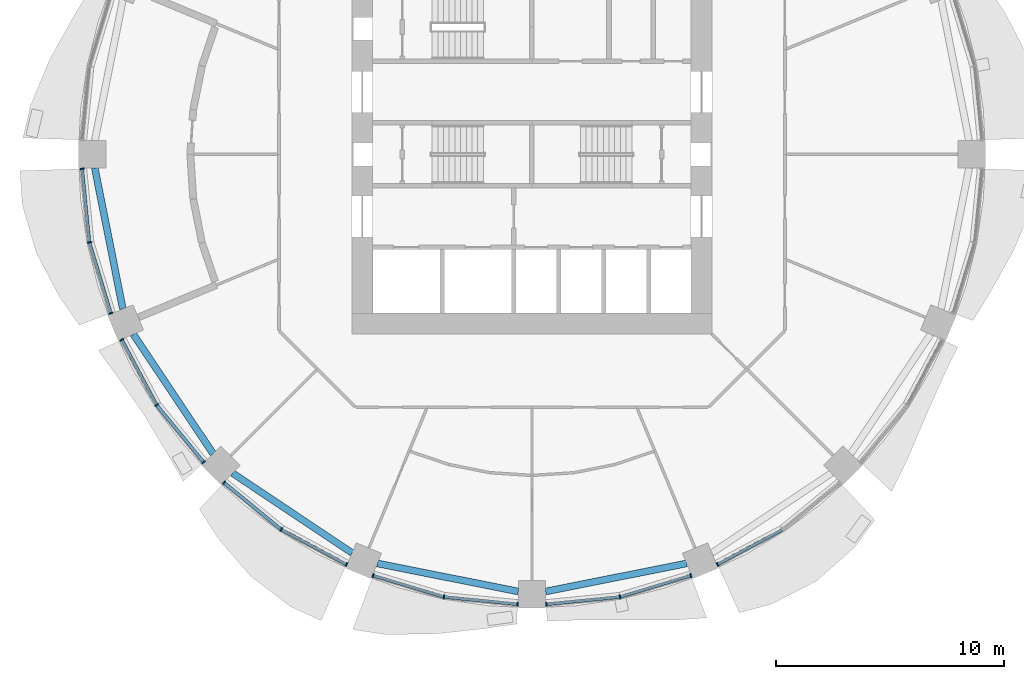
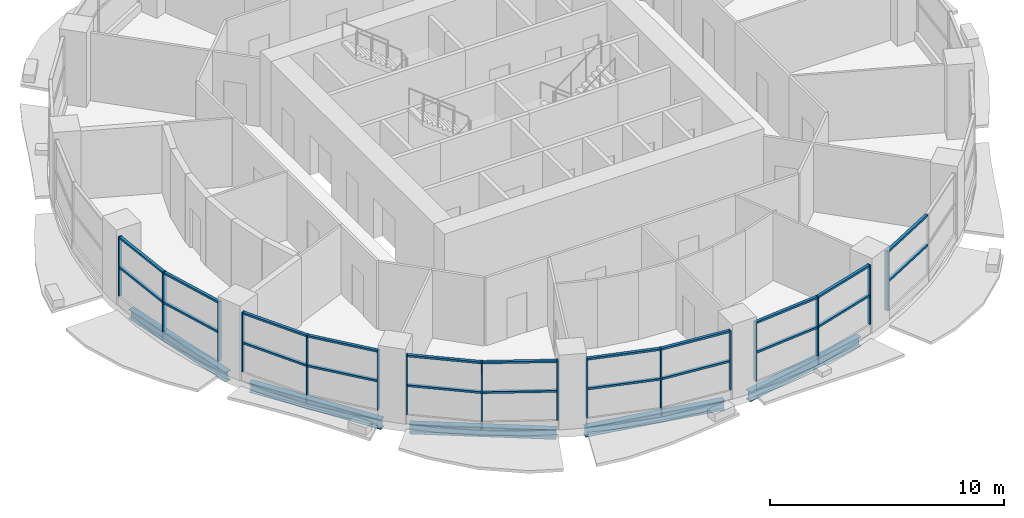
# One storey, part 2 of 15: 38 members, 5 beams, 6 elements without a shape of their own.
"""IFC4 building model written with IfcOpenShell, lengths in metres."""

from ifc_helpers import new_model, si_unit, direction, frame, origin, origin_2d, place, context, subcontext, project, spatial, rectangle, i_section, extrude, material, material_profile, profile_set, type_object, element, aggregate, save


model = new_model("IFC4")

# Units and contexts
model_context = context("Model", 3, precision=1e-05, world=origin(), true_north=direction((0.0, 1.0)))
body_context = subcontext(model_context, "Body", "Model", "MODEL_VIEW")
ifc_project = project(units=[si_unit("LENGTHUNIT", "METRE"), si_unit("AREAUNIT", "SQUARE_METRE"), si_unit("VOLUMEUNIT", "CUBIC_METRE"), si_unit("PLANEANGLEUNIT", "RADIAN"), si_unit("MASSUNIT", "GRAM", prefix="KILO")], contexts=[model_context])

# Site, building, storey
site_placement = place(None, origin())
site = spatial("IfcSite", under=ifc_project, at=site_placement, CompositionType="ELEMENT")
building_placement = place(site_placement, origin())
building = spatial("IfcBuilding", under=site, at=building_placement, Name="Polderwave Tower", CompositionType="ELEMENT")
storey_placement = place(building_placement, frame((0.0, 0.0, 18.5)))
storey = spatial("IfcBuildingStorey", under=building, at=storey_placement, Name="L04", CompositionType="ELEMENT", Elevation=18.5)

# Beams
ifc_material_1 = material(Name="Steel S355", Category="steel")
ifc_material_profile_1 = material_profile(ifc_material_1, i_section(OverallWidth=0.300048828125, OverallDepth=0.5, WebThickness=0.014404296875, FlangeThickness=0.028076171875, at=origin_2d()), Name="HE 500 B")
ifc_profile_set_1 = profile_set([ifc_material_profile_1], Name="Steel S355")
beam_type = type_object("IfcBeamType", Name="RING BEAM HE 500 B", PredefinedType="BEAM", material=ifc_profile_set_1)
for number, where, z_axis, x_axis, name in (
    (1, (-19.140625, -0.60009765625, -0.64990234375), (0.195078706153, -0.980787590871, 0.0), (0.980787590871, 0.195078706153, 0.0), "ST-RB-L04-08"),
    (2, (-17.4541015625, -7.879150390625, -0.64990234375), (0.555586450698, -0.831458775767, 0.0), (0.831458775767, 0.555586450698, 0.0), "ST-RB-L04-09"),
    (3, (-13.110107421875, -13.958740234375, -0.64990234375), (0.831458775767, -0.555586450698, 0.0), (0.555586450698, 0.831458775767, 0.0), "ST-RB-L04-10"),
    (4, (-6.7705078125, -17.913330078125, -0.64990234375), (0.980787590871, -0.195078706153, 0.0), (0.195078706153, 0.980787590871, 0.0), "ST-RB-L04-11"),
    (5, (0.60009765625, -19.140625, -0.64990234375), (0.980787590871, 0.195078706153, 0.0), (-0.195078706153, 0.980787590871, 0.0), "ST-RB-L04-12"),
):
    element("IfcBeam", number, at=place(storey_placement, frame(where, z_axis=z_axis, x_axis=x_axis)), inside=storey, type_object=beam_type, Name=name, PredefinedType="BEAM", context=body_context, shape_type="SweptSolid", body=[
        extrude(i_section(OverallWidth=0.300048828125, OverallDepth=0.5, WebThickness=0.014404296875, FlangeThickness=0.028076171875, at=origin_2d()), origin(), (0.0, 0.0, 1.0), 6.291259765625),
    ])

# Curtain wall, members
ifc_material_2 = material(Name="Aluminium 6063-T6 and glass", Category="aluminium")
curtain_wall_type = type_object("IfcCurtainWallType", Name="Shopfront glazing wall", PredefinedType="NOTDEFINED", material=ifc_material_2)
curtain_wall_1_placement = place(storey_placement, origin())
curtain_wall_1 = element("IfcCurtainWall", 6, at=curtain_wall_1_placement, inside=storey, type_object=curtain_wall_type, Name="CW1 L04 08", PredefinedType="NOTDEFINED")
ifc_material_3 = material(Name="Aluminium 6063-T6", Category="aluminium")
ifc_material_profile_2 = material_profile(ifc_material_3, rectangle(XDim=0.179931640625, YDim=0.06005859375, at=origin_2d()), Name="AL 60x180")
ifc_profile_set_2 = profile_set([ifc_material_profile_2], Name="Aluminium 6063-T6")
member_type_1 = type_object("IfcMemberType", Name="Shopfront glazing mullion 60x180", PredefinedType="MULLION", material=ifc_profile_set_2)
member_1_placement = place(storey_placement, frame((-19.697998046875, -0.6298828125, 0.449951171875), z_axis=(0.0, 0.0, 1.0), x_axis=(0.995172401617, 0.098142198156, 0.0)))
member_1 = element("IfcMember", 7, at=member_1_placement, type_object=member_type_1, Name="CW1 mullion 1", PredefinedType="MULLION", context=body_context, shape_type="SweptSolid", body=[
    extrude(rectangle(XDim=0.179931640625, YDim=0.06005859375, at=origin_2d()), origin(), (0.0, 0.0, 1.0), 3.10009765625),
])
member_2_placement = place(storey_placement, frame((-19.3798828125, -3.85498046875, 0.449951171875), z_axis=(0.0, 0.0, 1.0), x_axis=(0.980786642367, 0.195083474838, 0.0)))
member_2 = element("IfcMember", 8, at=member_2_placement, type_object=member_type_1, Name="CW1 mullion 2", PredefinedType="MULLION", context=body_context, shape_type="SweptSolid", body=[
    extrude(rectangle(XDim=0.179931640625, YDim=0.06005859375, at=origin_2d()), origin(), (0.0, 0.0, 1.0), 3.10009765625),
])
member_3_placement = place(storey_placement, frame((-18.439697265625, -6.956298828125, 0.449951171875), z_axis=(0.0, 0.0, 1.0), x_axis=(0.956980857791, 0.290151060348, 0.0)))
member_3 = element("IfcMember", 9, at=member_3_placement, type_object=member_type_1, Name="CW1 mullion 3", PredefinedType="MULLION", context=body_context, shape_type="SweptSolid", body=[
    extrude(rectangle(XDim=0.179931640625, YDim=0.06005859375, at=origin_2d()), origin(), (0.0, 0.0, 1.0), 3.10009765625),
])

curtain_wall_2_placement = place(storey_placement, origin())
curtain_wall_2 = element("IfcCurtainWall", 10, at=curtain_wall_2_placement, inside=storey, type_object=curtain_wall_type, Name="CW1 L04 09", PredefinedType="NOTDEFINED")
member_4_placement = place(storey_placement, frame((-17.9580078125, -8.12060546875, 0.449951171875), z_axis=(0.0, 0.0, 1.0), x_axis=(0.881861196987, 0.471509097737, 0.0)))
member_4 = element("IfcMember", 11, at=member_4_placement, type_object=member_type_1, Name="CW1 mullion 1", PredefinedType="MULLION", context=body_context, shape_type="SweptSolid", body=[
    extrude(rectangle(XDim=0.179931640625, YDim=0.06005859375, at=origin_2d()), origin(), (0.0, 0.0, 1.0), 3.10009765625),
])
member_5_placement = place(storey_placement, frame((-16.429931640625, -10.97802734375, 0.449951171875), z_axis=(0.0, 0.0, 1.0), x_axis=(0.83141336817, 0.555654399091, 0.0)))
member_5 = element("IfcMember", 12, at=member_5_placement, type_object=member_type_1, Name="CW1 mullion 2", PredefinedType="MULLION", context=body_context, shape_type="SweptSolid", body=[
    extrude(rectangle(XDim=0.179931640625, YDim=0.06005859375, at=origin_2d()), origin(), (0.0, 0.0, 1.0), 3.10009765625),
])
member_6_placement = place(storey_placement, frame((-14.3740234375, -13.48291015625, 0.449951171875), z_axis=(0.0, 0.0, 1.0), x_axis=(0.772961733177, 0.634452645234, 0.0)))
member_6 = element("IfcMember", 13, at=member_6_placement, type_object=member_type_1, Name="CW1 mullion 3", PredefinedType="MULLION", context=body_context, shape_type="SweptSolid", body=[
    extrude(rectangle(XDim=0.179931640625, YDim=0.06005859375, at=origin_2d()), origin(), (0.0, 0.0, 1.0), 3.10009765625),
])

curtain_wall_3_placement = place(storey_placement, origin())
curtain_wall_3 = element("IfcCurtainWall", 14, at=curtain_wall_3_placement, inside=storey, type_object=curtain_wall_type, Name="CW1 L04 10", PredefinedType="NOTDEFINED")
member_7_placement = place(storey_placement, frame((-13.48291015625, -14.3740234375, 0.449951171875), z_axis=(0.0, 0.0, 1.0), x_axis=(0.634452645234, 0.772961733177, 0.0)))
member_7 = element("IfcMember", 15, at=member_7_placement, type_object=member_type_1, Name="CW1 mullion 1", PredefinedType="MULLION", context=body_context, shape_type="SweptSolid", body=[
    extrude(rectangle(XDim=0.179931640625, YDim=0.06005859375, at=origin_2d()), origin(), (0.0, 0.0, 1.0), 3.10009765625),
])
member_8_placement = place(storey_placement, frame((-10.97802734375, -16.429931640625, 0.449951171875), z_axis=(0.0, 0.0, 1.0), x_axis=(0.555654399091, 0.83141336817, 0.0)))
member_8 = element("IfcMember", 16, at=member_8_placement, type_object=member_type_1, Name="CW1 mullion 2", PredefinedType="MULLION", context=body_context, shape_type="SweptSolid", body=[
    extrude(rectangle(XDim=0.179931640625, YDim=0.06005859375, at=origin_2d()), origin(), (0.0, 0.0, 1.0), 3.10009765625),
])
member_9_placement = place(storey_placement, frame((-8.12060546875, -17.9580078125, 0.449951171875), z_axis=(0.0, 0.0, 1.0), x_axis=(0.471509097737, 0.881861196987, 0.0)))
member_9 = element("IfcMember", 17, at=member_9_placement, type_object=member_type_1, Name="CW1 mullion 3", PredefinedType="MULLION", context=body_context, shape_type="SweptSolid", body=[
    extrude(rectangle(XDim=0.179931640625, YDim=0.06005859375, at=origin_2d()), origin(), (0.0, 0.0, 1.0), 3.10009765625),
])

curtain_wall_4_placement = place(storey_placement, origin())
curtain_wall_4 = element("IfcCurtainWall", 18, at=curtain_wall_4_placement, inside=storey, type_object=curtain_wall_type, Name="CW1 L04 11", PredefinedType="NOTDEFINED")
member_10_placement = place(storey_placement, frame((-6.956298828125, -18.439697265625, 0.449951171875), z_axis=(0.0, 0.0, 1.0), x_axis=(0.290151060348, 0.956980857791, 0.0)))
member_10 = element("IfcMember", 19, at=member_10_placement, type_object=member_type_1, Name="CW1 mullion 1", PredefinedType="MULLION", context=body_context, shape_type="SweptSolid", body=[
    extrude(rectangle(XDim=0.179931640625, YDim=0.06005859375, at=origin_2d()), origin(), (0.0, 0.0, 1.0), 3.10009765625),
])
member_11_placement = place(storey_placement, frame((-3.85498046875, -19.3798828125, 0.449951171875), z_axis=(0.0, 0.0, 1.0), x_axis=(0.195083474838, 0.980786642367, 0.0)))
member_11 = element("IfcMember", 20, at=member_11_placement, type_object=member_type_1, Name="CW1 mullion 2", PredefinedType="MULLION", context=body_context, shape_type="SweptSolid", body=[
    extrude(rectangle(XDim=0.179931640625, YDim=0.06005859375, at=origin_2d()), origin(), (0.0, 0.0, 1.0), 3.10009765625),
])
member_12_placement = place(storey_placement, frame((-0.6298828125, -19.697998046875, 0.449951171875), z_axis=(0.0, 0.0, 1.0), x_axis=(0.098142198156, 0.995172401617, 0.0)))
member_12 = element("IfcMember", 21, at=member_12_placement, type_object=member_type_1, Name="CW1 mullion 3", PredefinedType="MULLION", context=body_context, shape_type="SweptSolid", body=[
    extrude(rectangle(XDim=0.179931640625, YDim=0.06005859375, at=origin_2d()), origin(), (0.0, 0.0, 1.0), 3.10009765625),
])

curtain_wall_5_placement = place(storey_placement, origin())
curtain_wall_5 = element("IfcCurtainWall", 22, at=curtain_wall_5_placement, inside=storey, type_object=curtain_wall_type, Name="CW1 L04 12", PredefinedType="NOTDEFINED")
member_13_placement = place(storey_placement, frame((0.6298828125, -19.697998046875, 0.449951171875), z_axis=(0.0, 0.0, 1.0), x_axis=(-0.098142198156, 0.995172401617, 0.0)))
member_13 = element("IfcMember", 23, at=member_13_placement, type_object=member_type_1, Name="CW1 mullion 1", PredefinedType="MULLION", context=body_context, shape_type="SweptSolid", body=[
    extrude(rectangle(XDim=0.179931640625, YDim=0.06005859375, at=origin_2d()), origin(), (0.0, 0.0, 1.0), 3.10009765625),
])
member_14_placement = place(storey_placement, frame((3.85498046875, -19.3798828125, 0.449951171875), z_axis=(0.0, 0.0, 1.0), x_axis=(-0.195083474838, 0.980786642367, 0.0)))
member_14 = element("IfcMember", 24, at=member_14_placement, type_object=member_type_1, Name="CW1 mullion 2", PredefinedType="MULLION", context=body_context, shape_type="SweptSolid", body=[
    extrude(rectangle(XDim=0.179931640625, YDim=0.06005859375, at=origin_2d()), origin(), (0.0, 0.0, 1.0), 3.10009765625),
])
member_15_placement = place(storey_placement, frame((6.956298828125, -18.439697265625, 0.449951171875), z_axis=(0.0, 0.0, 1.0), x_axis=(-0.290151060348, 0.956980857791, 0.0)))
member_15 = element("IfcMember", 25, at=member_15_placement, type_object=member_type_1, Name="CW1 mullion 3", PredefinedType="MULLION", context=body_context, shape_type="SweptSolid", body=[
    extrude(rectangle(XDim=0.179931640625, YDim=0.06005859375, at=origin_2d()), origin(), (0.0, 0.0, 1.0), 3.10009765625),
])

# Curtain wall, member
curtain_wall_6_placement = place(storey_placement, origin())
curtain_wall_6 = element("IfcCurtainWall", 26, at=curtain_wall_6_placement, inside=storey, type_object=curtain_wall_type, Name="CW1 L04 13", PredefinedType="NOTDEFINED")
member_16_placement = place(storey_placement, frame((8.12060546875, -17.9580078125, 0.449951171875), z_axis=(0.0, 0.0, 1.0), x_axis=(-0.471509097737, 0.881861196987, 0.0)))
member_16 = element("IfcMember", 27, at=member_16_placement, type_object=member_type_1, Name="CW1 mullion 1", PredefinedType="MULLION", context=body_context, shape_type="SweptSolid", body=[
    extrude(rectangle(XDim=0.179931640625, YDim=0.06005859375, at=origin_2d()), origin(), (0.0, 0.0, 1.0), 3.10009765625),
])

# Member
ifc_material_profile_3 = material_profile(ifc_material_3, rectangle(XDim=0.139892578125, YDim=0.10009765625, at=origin_2d()), Name="AL 100x140")
ifc_profile_set_3 = profile_set([ifc_material_profile_3], Name="Aluminium 6063-T6")
member_type_2 = type_object("IfcMemberType", Name="Shopfront glazing transom 100x140", PredefinedType="USERDEFINED", material=ifc_profile_set_3)
member_17_placement = place(storey_placement, frame((-19.695068359375, -0.65966796875, 1.949951171875), z_axis=(0.098166163694, -0.995170037886, 0.0), x_axis=(0.995170037886, 0.098166163694, 0.0)))
member_17 = element("IfcMember", 28, at=member_17_placement, type_object=member_type_2, Name="CW1 transom 1", ObjectType="TRANSOM", PredefinedType="USERDEFINED", context=body_context, shape_type="SweptSolid", body=[
    extrude(rectangle(XDim=0.139892578125, YDim=0.10009765625, at=origin_2d()), origin(), (0.0, 0.0, 1.0), 3.180908203125),
])

member_18_placement = place(storey_placement, frame((-19.695068359375, -0.65966796875, 3.5), z_axis=(0.098166163694, -0.995170037886, 0.0), x_axis=(0.995170037886, 0.098166163694, 0.0)))
member_18 = element("IfcMember", 29, at=member_18_placement, type_object=member_type_2, Name="CW1 transom 2", ObjectType="TRANSOM", PredefinedType="USERDEFINED", context=body_context, shape_type="SweptSolid", body=[
    extrude(rectangle(XDim=0.139892578125, YDim=0.10009765625, at=origin_2d()), origin(), (0.0, 0.0, 1.0), 3.180908203125),
])

member_19_placement = place(storey_placement, frame((-19.371337890625, -3.8837890625, 1.949951171875), z_axis=(0.290156523701, -0.956979201317, 0.0), x_axis=(0.956979201317, 0.290156523701, 0.0)))
member_19 = element("IfcMember", 30, at=member_19_placement, type_object=member_type_2, Name="CW1 transom 3", ObjectType="TRANSOM", PredefinedType="USERDEFINED", context=body_context, shape_type="SweptSolid", body=[
    extrude(rectangle(XDim=0.139892578125, YDim=0.10009765625, at=origin_2d()), origin(), (0.0, 0.0, 1.0), 3.180419921875),
])

member_20_placement = place(storey_placement, frame((-19.371337890625, -3.8837890625, 3.5), z_axis=(0.290156523701, -0.956979201317, 0.0), x_axis=(0.956979201317, 0.290156523701, 0.0)))
member_20 = element("IfcMember", 31, at=member_20_placement, type_object=member_type_2, Name="CW1 transom 4", ObjectType="TRANSOM", PredefinedType="USERDEFINED", context=body_context, shape_type="SweptSolid", body=[
    extrude(rectangle(XDim=0.139892578125, YDim=0.10009765625, at=origin_2d()), origin(), (0.0, 0.0, 1.0), 3.180419921875),
])

aggregate(curtain_wall_1, [member_1, member_2, member_3, member_17, member_18, member_19, member_20])

member_21_placement = place(storey_placement, frame((-17.943603515625, -8.14697265625, 1.949951171875), z_axis=(0.471520367517, -0.881855171225, 0.0), x_axis=(0.881855171225, 0.471520367517, 0.0)))
member_21 = element("IfcMember", 32, at=member_21_placement, type_object=member_type_2, Name="CW1 transom 1", ObjectType="TRANSOM", PredefinedType="USERDEFINED", context=body_context, shape_type="SweptSolid", body=[
    extrude(rectangle(XDim=0.139892578125, YDim=0.10009765625, at=origin_2d()), origin(), (0.0, 0.0, 1.0), 3.18017578125),
])

member_22_placement = place(storey_placement, frame((-17.943603515625, -8.14697265625, 3.5), z_axis=(0.471520367517, -0.881855171225, 0.0), x_axis=(0.881855171225, 0.471520367517, 0.0)))
member_22 = element("IfcMember", 33, at=member_22_placement, type_object=member_type_2, Name="CW1 transom 2", ObjectType="TRANSOM", PredefinedType="USERDEFINED", context=body_context, shape_type="SweptSolid", body=[
    extrude(rectangle(XDim=0.139892578125, YDim=0.10009765625, at=origin_2d()), origin(), (0.0, 0.0, 1.0), 3.18017578125),
])

member_23_placement = place(storey_placement, frame((-16.410888671875, -11.001220703125, 1.949951171875), z_axis=(0.634428353152, -0.772981671656, 0.0), x_axis=(0.772981671656, 0.634428353152, 0.0)))
member_23 = element("IfcMember", 34, at=member_23_placement, type_object=member_type_2, Name="CW1 transom 3", ObjectType="TRANSOM", PredefinedType="USERDEFINED", context=body_context, shape_type="SweptSolid", body=[
    extrude(rectangle(XDim=0.139892578125, YDim=0.10009765625, at=origin_2d()), origin(), (0.0, 0.0, 1.0), 3.180419921875),
])

member_24_placement = place(storey_placement, frame((-16.410888671875, -11.001220703125, 3.5), z_axis=(0.634428353152, -0.772981671656, 0.0), x_axis=(0.772981671656, 0.634428353152, 0.0)))
member_24 = element("IfcMember", 35, at=member_24_placement, type_object=member_type_2, Name="CW1 transom 4", ObjectType="TRANSOM", PredefinedType="USERDEFINED", context=body_context, shape_type="SweptSolid", body=[
    extrude(rectangle(XDim=0.139892578125, YDim=0.10009765625, at=origin_2d()), origin(), (0.0, 0.0, 1.0), 3.180419921875),
])

aggregate(curtain_wall_2, [member_4, member_5, member_6, member_21, member_22, member_23, member_24])

member_25_placement = place(storey_placement, frame((-13.459716796875, -14.39306640625, 1.949951171875), z_axis=(0.772981671656, -0.634428353152, 0.0), x_axis=(0.634428353152, 0.772981671656, 0.0)))
member_25 = element("IfcMember", 36, at=member_25_placement, type_object=member_type_2, Name="CW1 transom 1", ObjectType="TRANSOM", PredefinedType="USERDEFINED", context=body_context, shape_type="SweptSolid", body=[
    extrude(rectangle(XDim=0.139892578125, YDim=0.10009765625, at=origin_2d()), origin(), (0.0, 0.0, 1.0), 3.180419921875),
])

member_26_placement = place(storey_placement, frame((-13.459716796875, -14.39306640625, 3.5), z_axis=(0.772981671656, -0.634428353152, 0.0), x_axis=(0.634428353152, 0.772981671656, 0.0)))
member_26 = element("IfcMember", 37, at=member_26_placement, type_object=member_type_2, Name="CW1 transom 2", ObjectType="TRANSOM", PredefinedType="USERDEFINED", context=body_context, shape_type="SweptSolid", body=[
    extrude(rectangle(XDim=0.139892578125, YDim=0.10009765625, at=origin_2d()), origin(), (0.0, 0.0, 1.0), 3.180419921875),
])

member_27_placement = place(storey_placement, frame((-10.951416015625, -16.444091796875, 1.949951171875), z_axis=(0.881855171225, -0.471520367517, 0.0), x_axis=(0.471520367517, 0.881855171225, 0.0)))
member_27 = element("IfcMember", 38, at=member_27_placement, type_object=member_type_2, Name="CW1 transom 3", ObjectType="TRANSOM", PredefinedType="USERDEFINED", context=body_context, shape_type="SweptSolid", body=[
    extrude(rectangle(XDim=0.139892578125, YDim=0.10009765625, at=origin_2d()), origin(), (0.0, 0.0, 1.0), 3.18017578125),
])

member_28_placement = place(storey_placement, frame((-10.951416015625, -16.444091796875, 3.5), z_axis=(0.881855171225, -0.471520367517, 0.0), x_axis=(0.471520367517, 0.881855171225, 0.0)))
member_28 = element("IfcMember", 39, at=member_28_placement, type_object=member_type_2, Name="CW1 transom 4", ObjectType="TRANSOM", PredefinedType="USERDEFINED", context=body_context, shape_type="SweptSolid", body=[
    extrude(rectangle(XDim=0.139892578125, YDim=0.10009765625, at=origin_2d()), origin(), (0.0, 0.0, 1.0), 3.18017578125),
])

aggregate(curtain_wall_3, [member_7, member_8, member_9, member_25, member_26, member_27, member_28])

member_29_placement = place(storey_placement, frame((-6.927490234375, -18.448486328125, 1.949951171875), z_axis=(0.956979201317, -0.290156523701, 0.0), x_axis=(0.290156523701, 0.956979201317, 0.0)))
member_29 = element("IfcMember", 40, at=member_29_placement, type_object=member_type_2, Name="CW1 transom 1", ObjectType="TRANSOM", PredefinedType="USERDEFINED", context=body_context, shape_type="SweptSolid", body=[
    extrude(rectangle(XDim=0.139892578125, YDim=0.10009765625, at=origin_2d()), origin(), (0.0, 0.0, 1.0), 3.180419921875),
])

member_30_placement = place(storey_placement, frame((-6.927490234375, -18.448486328125, 3.5), z_axis=(0.956979201317, -0.290156523701, 0.0), x_axis=(0.290156523701, 0.956979201317, 0.0)))
member_30 = element("IfcMember", 41, at=member_30_placement, type_object=member_type_2, Name="CW1 transom 2", ObjectType="TRANSOM", PredefinedType="USERDEFINED", context=body_context, shape_type="SweptSolid", body=[
    extrude(rectangle(XDim=0.139892578125, YDim=0.10009765625, at=origin_2d()), origin(), (0.0, 0.0, 1.0), 3.180419921875),
])

member_31_placement = place(storey_placement, frame((-3.8251953125, -19.3828125, 1.949951171875), z_axis=(0.995170037886, -0.098166163694, 0.0), x_axis=(0.098166163694, 0.995170037886, 0.0)))
member_31 = element("IfcMember", 42, at=member_31_placement, type_object=member_type_2, Name="CW1 transom 3", ObjectType="TRANSOM", PredefinedType="USERDEFINED", context=body_context, shape_type="SweptSolid", body=[
    extrude(rectangle(XDim=0.139892578125, YDim=0.10009765625, at=origin_2d()), origin(), (0.0, 0.0, 1.0), 3.180908203125),
])

member_32_placement = place(storey_placement, frame((-3.8251953125, -19.3828125, 3.5), z_axis=(0.995170037886, -0.098166163694, 0.0), x_axis=(0.098166163694, 0.995170037886, 0.0)))
member_32 = element("IfcMember", 43, at=member_32_placement, type_object=member_type_2, Name="CW1 transom 4", ObjectType="TRANSOM", PredefinedType="USERDEFINED", context=body_context, shape_type="SweptSolid", body=[
    extrude(rectangle(XDim=0.139892578125, YDim=0.10009765625, at=origin_2d()), origin(), (0.0, 0.0, 1.0), 3.180908203125),
])

aggregate(curtain_wall_4, [member_10, member_11, member_12, member_29, member_30, member_31, member_32])

member_33_placement = place(storey_placement, frame((0.65966796875, -19.695068359375, 1.949951171875), z_axis=(0.995170037886, 0.098166163694, 0.0), x_axis=(-0.098166163694, 0.995170037886, 0.0)))
member_33 = element("IfcMember", 44, at=member_33_placement, type_object=member_type_2, Name="CW1 transom 1", ObjectType="TRANSOM", PredefinedType="USERDEFINED", context=body_context, shape_type="SweptSolid", body=[
    extrude(rectangle(XDim=0.139892578125, YDim=0.10009765625, at=origin_2d()), origin(), (0.0, 0.0, 1.0), 3.180908203125),
])

member_34_placement = place(storey_placement, frame((0.65966796875, -19.695068359375, 3.5), z_axis=(0.995170037886, 0.098166163694, 0.0), x_axis=(-0.098166163694, 0.995170037886, 0.0)))
member_34 = element("IfcMember", 45, at=member_34_placement, type_object=member_type_2, Name="CW1 transom 2", ObjectType="TRANSOM", PredefinedType="USERDEFINED", context=body_context, shape_type="SweptSolid", body=[
    extrude(rectangle(XDim=0.139892578125, YDim=0.10009765625, at=origin_2d()), origin(), (0.0, 0.0, 1.0), 3.180908203125),
])

member_35_placement = place(storey_placement, frame((3.8837890625, -19.371337890625, 1.949951171875), z_axis=(0.956979201317, 0.290156523701, 0.0), x_axis=(-0.290156523701, 0.956979201317, 0.0)))
member_35 = element("IfcMember", 46, at=member_35_placement, type_object=member_type_2, Name="CW1 transom 3", ObjectType="TRANSOM", PredefinedType="USERDEFINED", context=body_context, shape_type="SweptSolid", body=[
    extrude(rectangle(XDim=0.139892578125, YDim=0.10009765625, at=origin_2d()), origin(), (0.0, 0.0, 1.0), 3.180419921875),
])

member_36_placement = place(storey_placement, frame((3.8837890625, -19.371337890625, 3.5), z_axis=(0.956979201317, 0.290156523701, 0.0), x_axis=(-0.290156523701, 0.956979201317, 0.0)))
member_36 = element("IfcMember", 47, at=member_36_placement, type_object=member_type_2, Name="CW1 transom 4", ObjectType="TRANSOM", PredefinedType="USERDEFINED", context=body_context, shape_type="SweptSolid", body=[
    extrude(rectangle(XDim=0.139892578125, YDim=0.10009765625, at=origin_2d()), origin(), (0.0, 0.0, 1.0), 3.180419921875),
])

aggregate(curtain_wall_5, [member_13, member_14, member_15, member_33, member_34, member_35, member_36])

member_37_placement = place(storey_placement, frame((8.14697265625, -17.943603515625, 1.949951171875), z_axis=(0.881855171225, 0.471520367517, 0.0), x_axis=(-0.471520367517, 0.881855171225, 0.0)))
member_37 = element("IfcMember", 48, at=member_37_placement, type_object=member_type_2, Name="CW1 transom 1", ObjectType="TRANSOM", PredefinedType="USERDEFINED", context=body_context, shape_type="SweptSolid", body=[
    extrude(rectangle(XDim=0.139892578125, YDim=0.10009765625, at=origin_2d()), origin(), (0.0, 0.0, 1.0), 3.18017578125),
])

member_38_placement = place(storey_placement, frame((8.14697265625, -17.943603515625, 3.5), z_axis=(0.881855171225, 0.471520367517, 0.0), x_axis=(-0.471520367517, 0.881855171225, 0.0)))
member_38 = element("IfcMember", 49, at=member_38_placement, type_object=member_type_2, Name="CW1 transom 2", ObjectType="TRANSOM", PredefinedType="USERDEFINED", context=body_context, shape_type="SweptSolid", body=[
    extrude(rectangle(XDim=0.139892578125, YDim=0.10009765625, at=origin_2d()), origin(), (0.0, 0.0, 1.0), 3.18017578125),
])

aggregate(curtain_wall_6, [member_16, member_37, member_38])

save(model, "model.ifc")
